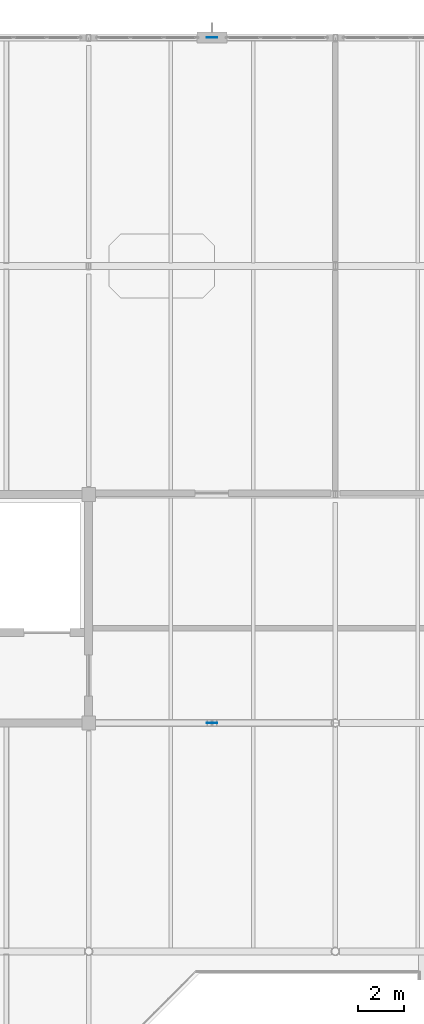
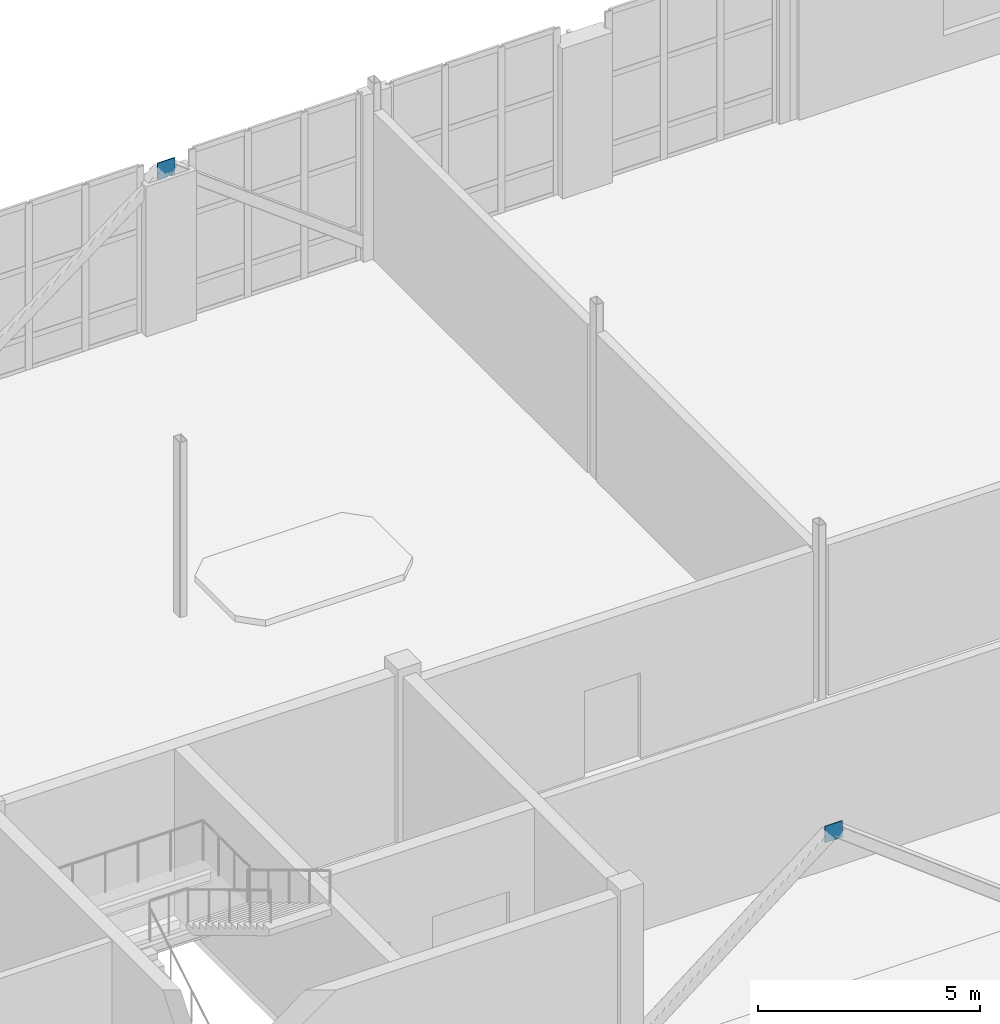
# One storey, part 82 of 100: 2 plates.
"""IFC4 building model written with IfcOpenShell, lengths in metres."""

import ifcopenshell
import ifcopenshell.guid

model = None  # the IFC model being written
_history = None  # IfcOwnerHistory: only IFC2X3 demands one
_inside = {}  # id of a spatial element -> (the spatial element, [elements in it])
_under = {}  # id of a project, library or spatial element -> (it, [spatial elements below it])
_declared = {}  # id of a project -> (the project, [libraries it declares])
_typed = {}  # id of a type object -> (the type object, [elements of that type])
_made_of = {}  # id of a material, layer set ... -> (it, [elements and type objects made of it])


def new_model(schema):
    """Start an empty IFC model of exactly this schema.

    Asked for "IFC4X3", IfcOpenShell would pick the latest addendum, in which some entities
    have other attributes; the version numbers below select the first issue.
    IFC2X3 requires an IfcOwnerHistory on every rooted entity: one is made here for all.
    """
    global model, _history
    if schema == "IFC4X3":
        model = ifcopenshell.file(schema_version=(4, 3, 0, 0))
    else:
        model = ifcopenshell.file(schema=schema)
    _inside.clear()
    _under.clear()
    _declared.clear()
    _typed.clear()
    _made_of.clear()
    _history = None
    if model.schema == "IFC2X3":
        org = make("IfcOrganization", Name="unknown")
        user = make(
            "IfcPersonAndOrganization",
            ThePerson=make("IfcPerson", FamilyName="unknown"),
            TheOrganization=org,
        )
        app = make(
            "IfcApplication",
            ApplicationDeveloper=org,
            Version="unknown",
            ApplicationFullName="unknown",
            ApplicationIdentifier="unknown",
        )
        _history = make(
            "IfcOwnerHistory",
            OwningUser=user,
            OwningApplication=app,
            ChangeAction="ADDED",
            CreationDate=0,
        )
    return model


def make(cls, **values):
    """One entity of the class cls with the attributes given. An attribute that is None is left unset."""
    return model.create_entity(
        cls, **{name: value for name, value in values.items() if value is not None}
    )


def rooted(cls, **values):
    """An entity with a GlobalId (a new one), such as an element, a storey or a relation."""
    return make(cls, GlobalId=ifcopenshell.guid.new(), OwnerHistory=_history, **values)


def si_unit(unit_type, name, prefix=None):
    """IfcSIUnit, for example si_unit("LENGTHUNIT", "METRE", prefix="MILLI")."""
    return make("IfcSIUnit", UnitType=unit_type, Prefix=prefix, Name=name)


def assignment(units):
    """IfcUnitAssignment: the units of a project."""
    return None if units is None else make("IfcUnitAssignment", Units=units)


def point(xyz):
    """IfcCartesianPoint."""
    return None if xyz is None else make("IfcCartesianPoint", Coordinates=xyz)


def direction(xyz):
    """IfcDirection."""
    return None if xyz is None else make("IfcDirection", DirectionRatios=xyz)


def frame(location, z_axis=None, x_axis=None):
    """IfcAxis2Placement3D, a coordinate frame: its origin and axes. An axis left out is left unset."""
    return make(
        "IfcAxis2Placement3D",
        Location=point(location),
        Axis=direction(z_axis),
        RefDirection=direction(x_axis),
    )


def frame_2d(location, x_axis=None):
    """IfcAxis2Placement2D, a coordinate frame in the plane: its origin and x axis."""
    return make(
        "IfcAxis2Placement2D", Location=point(location), RefDirection=direction(x_axis)
    )


def origin():
    """The frame at (0, 0, 0) with its axes left unset."""
    return frame((0.0, 0.0, 0.0))


def origin_2d():
    """The frame at (0, 0) in the plane with its x axis left unset."""
    return frame_2d((0.0, 0.0))


def place(relative_to, where):
    """IfcLocalPlacement: puts the frame where relative to a parent placement (None: the world)."""
    return make(
        "IfcLocalPlacement", PlacementRelTo=relative_to, RelativePlacement=where
    )


def context(
    kind, dimensions, precision=None, world=None, true_north=None, identifier=None
):
    """IfcGeometricRepresentationContext, for example the 3D "Model" context."""
    return make(
        "IfcGeometricRepresentationContext",
        ContextIdentifier=identifier,
        ContextType=kind,
        CoordinateSpaceDimension=dimensions,
        Precision=precision,
        WorldCoordinateSystem=world,
        TrueNorth=true_north,
    )


def subcontext(parent, identifier, kind, view, scale=None):
    """IfcGeometricRepresentationSubContext, for example "Body" below "Model"."""
    return make(
        "IfcGeometricRepresentationSubContext",
        ContextIdentifier=identifier,
        ContextType=kind,
        ParentContext=parent,
        TargetScale=scale,
        TargetView=view,
    )


def project(units=None, contexts=None):
    """IfcProject with its units and contexts."""
    return rooted(
        "IfcProject",
        Name="project",
        RepresentationContexts=contexts,
        UnitsInContext=assignment(units),
    )


def spatial(cls, under=None, at=None, **own):
    """A site, building, storey or space (cls), placed at a placement, below another one or the project."""
    s = rooted(cls, ObjectPlacement=at, **own)
    if under is not None:
        _under.setdefault(under.id(), (under, []))[1].append(s)
    return s


def profile(cls, at=None, kind="AREA", **sizes):
    """A parametric profile (cls). Its sizes go by their IFC names, for example OverallWidth=200.0."""
    return make(cls, ProfileType=kind, Position=at, **sizes)


def rectangle(**sizes):
    """IfcRectangleProfileDef."""
    return profile("IfcRectangleProfileDef", **sizes)


def extrude(swept, where, along, depth):
    """IfcExtrudedAreaSolid: the profile swept, set in the frame where, extruded along a direction by depth."""
    return make(
        "IfcExtrudedAreaSolid",
        SweptArea=swept,
        Position=where,
        ExtrudedDirection=direction(along),
        Depth=depth,
    )


def shape(context_of_items, identifier, shape_type, items):
    """IfcShapeRepresentation: the items that make up one representation, for example the "Body"."""
    return make(
        "IfcShapeRepresentation",
        ContextOfItems=context_of_items,
        RepresentationIdentifier=identifier,
        RepresentationType=shape_type,
        Items=items,
    )


def material(Name=None, Category=None):
    """IfcMaterial."""
    return make("IfcMaterial", Name=Name, Category=Category)


def layer(
    of_material, thickness, ventilated=None, Name=None, Category=None, Priority=None
):
    """IfcMaterialLayer: one layer of a wall or slab, of a material (None: an air gap)."""
    return make(
        "IfcMaterialLayer",
        Material=of_material,
        LayerThickness=thickness,
        IsVentilated=ventilated,
        Name=Name,
        Category=Category,
        Priority=Priority,
    )


def layer_set(layers, Name=None):
    """IfcMaterialLayerSet."""
    return make("IfcMaterialLayerSet", MaterialLayers=layers, LayerSetName=Name)


def made_of(thing, what):
    """Note that an element or type object is made of a material, layer set ...; save() writes the relation."""
    if what is not None:
        _made_of.setdefault(what.id(), (what, []))[1].append(thing)
    return thing


def type_object(cls, material=None, **own):
    """A type object (cls), such as IfcWallType, which elements share."""
    return made_of(rooted(cls, **own), material)


def element(
    cls,
    number,
    at=None,
    inside=None,
    cuts=None,
    type_object=None,
    material=None,
    context=None,
    identifier="Body",
    shape_type=None,
    held_by="IfcProductDefinitionShape",
    body=None,
    shapes=None,
    **own,
):
    """One element of the class cls, such as IfcWall. Its Tag is "e" and its number.

    at: its placement. inside: the storey or other place that contains it. cuts: it is an
    opening in that element (IfcRelVoidsElement). A single representation is given by context,
    identifier, shape_type and body (its items); several are given by shapes. held_by: the class
    of the entity that holds the representations. save() writes the other relations.
    """
    e = rooted(cls, Tag="e%d" % number, ObjectPlacement=at, **own)
    if body is not None:
        shapes = [shape(context, identifier, shape_type, body)]
    if shapes is not None:
        e.Representation = make(held_by, Representations=shapes)
    if inside is not None:
        _inside.setdefault(inside.id(), (inside, []))[1].append(e)
    if cuts is not None:
        rooted(
            "IfcRelVoidsElement", RelatingBuildingElement=cuts, RelatedOpeningElement=e
        )
    if type_object is not None:
        _typed.setdefault(type_object.id(), (type_object, []))[1].append(e)
    return made_of(e, material)


def aggregate(whole, parts):
    """IfcRelAggregates: a whole, such as a stair, and the parts it consists of."""
    return rooted("IfcRelAggregates", RelatingObject=whole, RelatedObjects=parts)


def save(model, path):
    """Write the relations noted so far, then the file.

    IfcRelAggregates (storeys below a building ...), IfcRelContainedInSpatialStructure (elements
    in a storey), IfcRelDefinesByType, IfcRelAssociatesMaterial and IfcRelDeclares: one each for
    every whole, place, type object, material and project.
    """
    for whole, parts in _under.values():
        aggregate(whole, parts)
    for where, things in _inside.values():
        rooted(
            "IfcRelContainedInSpatialStructure",
            RelatedElements=things,
            RelatingStructure=where,
        )
    for kind, things in _typed.values():
        rooted("IfcRelDefinesByType", RelatedObjects=things, RelatingType=kind)
    for what, things in _made_of.values():
        rooted("IfcRelAssociatesMaterial", RelatedObjects=things, RelatingMaterial=what)
    for by, libraries in _declared.values():
        rooted("IfcRelDeclares", RelatingContext=by, RelatedDefinitions=libraries)
    model.write(path)


model = new_model("IFC4")

# Units and contexts
model_context = context("Model", 3, precision=1e-05, world=origin(), true_north=direction((0.0, 1.0)))
body_context = subcontext(model_context, "Body", "Model", "MODEL_VIEW")
ifc_project = project(units=[si_unit("LENGTHUNIT", "METRE"), si_unit("AREAUNIT", "SQUARE_METRE"), si_unit("VOLUMEUNIT", "CUBIC_METRE"), si_unit("PLANEANGLEUNIT", "RADIAN"), si_unit("MASSUNIT", "GRAM", prefix="KILO")], contexts=[model_context])

# Site, building, storey
site_placement = place(None, origin())
site = spatial("IfcSite", under=ifc_project, at=site_placement, CompositionType="ELEMENT")
building_placement = place(site_placement, origin())
building = spatial("IfcBuilding", under=site, at=building_placement, Name="Tasgan Crest Museum", CompositionType="ELEMENT")
storey_placement = place(building_placement, frame((0.0, 0.0, 9.60009765625)))
storey = spatial("IfcBuildingStorey", under=building, at=storey_placement, Name="L02", CompositionType="ELEMENT", Elevation=9.60009765625)

# Plates
ifc_material = material(Name="Steel S355K2", Category="steel")
ifc_layer = layer(ifc_material, 0.02001953125, Name="PL-GUSSET-450")
ifc_layer_set = layer_set([ifc_layer], Name="Steel S355K2")
plate_type = type_object("IfcPlateType", Name="PL-GUSSET-450", PredefinedType="USERDEFINED", material=ifc_layer_set)
for number, where, z_axis, x_axis, name in (
    (1, (70.199951171875, 112.0, 4.02490234375), (0.0, 0.0, 1.0), (1.0, 0.0, 0.0), "Chevron gusset plate L02 M 70.2"),
    (2, (70.199951171875, 82.0, 4.02490234375), (0.0, 0.0, 1.0), (1.0, 0.0, 0.0), "Chevron gusset plate L02 J 70.2"),
):
    element("IfcPlate", number, at=place(storey_placement, frame(where, z_axis=z_axis, x_axis=x_axis)), inside=storey, type_object=plate_type, Name=name, ObjectType="GUSSET PLATE", PredefinedType="USERDEFINED", context=body_context, shape_type="SweptSolid", body=[
        extrude(rectangle(XDim=0.449951171875, YDim=0.02001953125, at=origin_2d()), origin(), (0.0, 0.0, 1.0), 0.449951171875),
    ])

save(model, "model.ifc")
